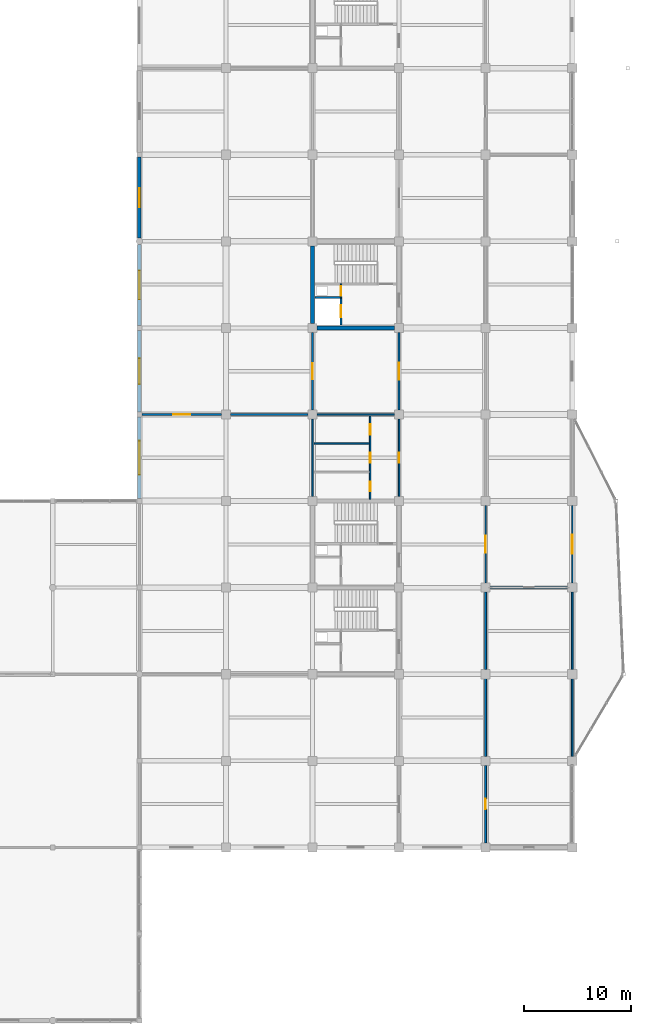
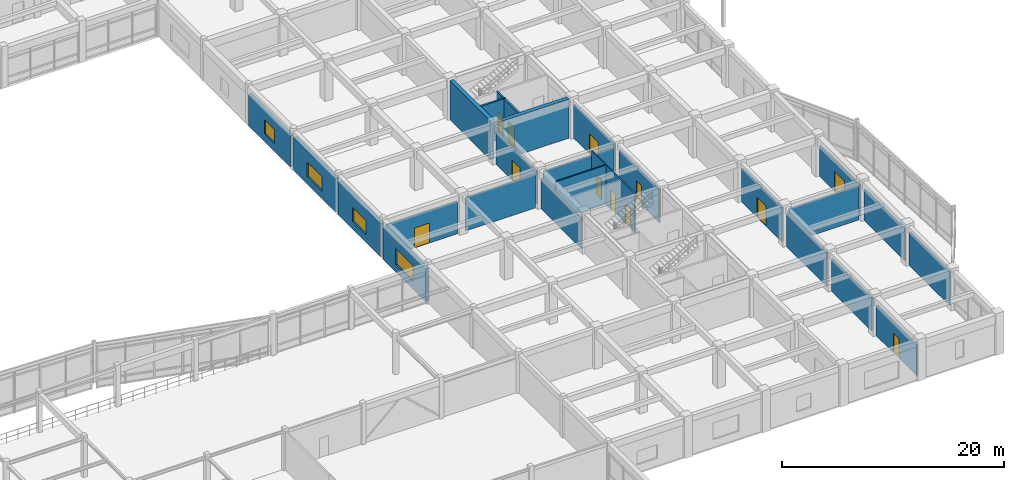
# One storey, part 70 of 93: 26 walls, 12 doors, 4 windows, 16 openings.
"""IFC4 building model written with IfcOpenShell, lengths in metres."""

from ifc_helpers import new_model, si_unit, direction, frame, frame_2d, origin, place, context, subcontext, project, spatial, rectangle, extrude, material, layer, layer_set, type_object, element, fill, save


model = new_model("IFC4")

# Units and contexts
model_context = context("Model", 3, precision=1e-05, world=origin(), true_north=direction((0.0, 1.0)))
body_context = subcontext(model_context, "Body", "Model", "MODEL_VIEW")
ifc_project = project(units=[si_unit("LENGTHUNIT", "METRE"), si_unit("AREAUNIT", "SQUARE_METRE"), si_unit("VOLUMEUNIT", "CUBIC_METRE"), si_unit("PLANEANGLEUNIT", "RADIAN"), si_unit("MASSUNIT", "GRAM", prefix="KILO")], contexts=[model_context])

# Site, building, storey
site_placement = place(None, origin())
site = spatial("IfcSite", under=ifc_project, at=site_placement, CompositionType="ELEMENT")
building_placement = place(site_placement, origin())
building = spatial("IfcBuilding", under=site, at=building_placement, Name="Vaudrelin Polytechnic", CompositionType="ELEMENT")
storey_placement = place(building_placement, frame((0.0, 0.0, 5.10009765625)))
storey = spatial("IfcBuildingStorey", under=building, at=storey_placement, Name="L01", CompositionType="ELEMENT", Elevation=5.10009765625)

# Wall, opening, window
ifc_material_1 = material(Name="Precast concrete 35 MPa with terracotta baguette screen", Category="masonry")
ifc_layer_1 = layer(ifc_material_1, 0.35009765625)
ifc_layer_set_1 = layer_set([ifc_layer_1], Name="Precast concrete 35 MPa with terracotta baguette screen")
wall_type_1 = type_object("IfcWallType", Name="WAL-EW-TERR350", PredefinedType="STANDARD", material=ifc_layer_set_1)
wall_1_placement = place(storey_placement, frame((129.60009765625, 48.822998046875, 0.0), z_axis=(0.0, 0.0, 1.0), x_axis=(0.0, 1.0, 0.0)))
wall_1 = element("IfcWall", 1, at=wall_1_placement, inside=storey, type_object=wall_type_1, Name="Exterior wall L01 CT_E_00", PredefinedType="STANDARD", context=body_context, shape_type="SweptSolid", body=[
    extrude(rectangle(XDim=7.654052734375, YDim=0.35009765625, at=frame_2d((3.8271484375, 0.0))), origin(), (0.0, 0.0, 1.0), 3.56201171875),
])
opening_1_placement = place(wall_1_placement, frame((2.251953125, 0.0, 0.85009765625)))
opening_1 = element("IfcOpeningElement", 2, at=opening_1_placement, cuts=wall_1, Name="Opening W-L01-CT-E-01", PredefinedType="OPENING", context=body_context, shape_type="SweptSolid", body=[
    extrude(rectangle(XDim=3.14990234375, YDim=1.75, at=frame_2d((1.574951171875, 0.875))), frame((0.0, 0.18505859375, 0.0), z_axis=(0.0, -1.0, 0.0), x_axis=(1.0, 0.0, 0.0)), (0.0, 0.0, 1.0), 0.3701171875),
])
ifc_material_2 = material(Name="Thermally broken aluminium frame with triple low-e glazing", Category="aluminium")
window_type_1 = type_object("IfcWindowType", Name="WIN-WN-20", PartitioningType="SINGLE_PANEL", PredefinedType="WINDOW", material=ifc_material_2)
window_1_placement = place(opening_1_placement, origin())
window_1 = element("IfcWindow", 3, at=window_1_placement, inside=storey, type_object=window_type_1, Name="Facade window L01-CT_E_00", OverallHeight=1.75, OverallWidth=3.14990234375, PartitioningType="SINGLE_PANEL", PredefinedType="WINDOW", context=body_context, shape_type="SweptSolid", body=[
    extrude(rectangle(XDim=3.14990234375, YDim=1.75, at=frame_2d((1.574951171875, 0.875))), frame((0.0, 0.030029296875, 0.0), z_axis=(0.0, -1.0, 0.0), x_axis=(1.0, 0.0, 0.0)), (0.0, 0.0, 1.0), 0.06005859375),
])
fill(opening_1, window_1)

wall_2_placement = place(storey_placement, frame((129.60009765625, 56.923095703125, 0.0), z_axis=(0.0, 0.0, 1.0), x_axis=(0.0, 1.0, 0.0)))
wall_2 = element("IfcWall", 4, at=wall_2_placement, inside=storey, type_object=wall_type_1, Name="Exterior wall L01 CT_E_01", PredefinedType="STANDARD", context=body_context, shape_type="SweptSolid", body=[
    extrude(rectangle(XDim=7.65380859375, YDim=0.35009765625, at=frame_2d((3.826904296875, 0.0))), origin(), (0.0, 0.0, 1.0), 3.661865234375),
])
opening_2_placement = place(wall_2_placement, frame((2.626953125, 0.0, 0.85009765625)))
opening_2 = element("IfcOpeningElement", 5, at=opening_2_placement, cuts=wall_2, Name="Opening W-L01-CT-E-02", PredefinedType="OPENING", context=body_context, shape_type="SweptSolid", body=[
    extrude(rectangle(XDim=2.39990234375, YDim=1.550048828125, at=frame_2d((1.199951171875, 0.77490234375))), frame((0.0, 0.18505859375, 0.0), z_axis=(0.0, -1.0, 0.0), x_axis=(1.0, 0.0, 0.0)), (0.0, 0.0, 1.0), 0.3701171875),
])
window_type_2 = type_object("IfcWindowType", Name="WIN-WN-21", PartitioningType="SINGLE_PANEL", PredefinedType="WINDOW", material=ifc_material_2)
window_2_placement = place(opening_2_placement, origin())
window_2 = element("IfcWindow", 6, at=window_2_placement, inside=storey, type_object=window_type_2, Name="Facade window L01-CT_E_01", OverallHeight=1.550048828125, OverallWidth=2.39990234375, PartitioningType="SINGLE_PANEL", PredefinedType="WINDOW", context=body_context, shape_type="SweptSolid", body=[
    extrude(rectangle(XDim=2.39990234375, YDim=1.550048828125, at=frame_2d((1.199951171875, 0.77490234375))), frame((0.0, 0.030029296875, 0.0), z_axis=(0.0, -1.0, 0.0), x_axis=(1.0, 0.0, 0.0)), (0.0, 0.0, 1.0), 0.06005859375),
])
fill(opening_2, window_2)

wall_3_placement = place(storey_placement, frame((129.60009765625, 65.02294921875, 0.0), z_axis=(0.0, 0.0, 1.0), x_axis=(0.0, 1.0, 0.0)))
wall_3 = element("IfcWall", 7, at=wall_3_placement, inside=storey, type_object=wall_type_1, Name="Exterior wall L01 CT_E_02", PredefinedType="STANDARD", context=body_context, shape_type="SweptSolid", body=[
    extrude(rectangle(XDim=7.5791015625, YDim=0.35009765625, at=frame_2d((3.78955078125, 0.0))), origin(), (0.0, 0.0, 1.0), 3.661865234375),
])
opening_3_placement = place(wall_3_placement, frame((2.439453125, 0.0, 0.85009765625)))
opening_3 = element("IfcOpeningElement", 8, at=opening_3_placement, cuts=wall_3, Name="Opening W-L01-CT-E-03", PredefinedType="OPENING", context=body_context, shape_type="SweptSolid", body=[
    extrude(rectangle(XDim=2.699951171875, YDim=1.550048828125, at=frame_2d((1.35009765625, 0.77490234375))), frame((0.0, 0.18505859375, 0.0), z_axis=(0.0, -1.0, 0.0), x_axis=(1.0, 0.0, 0.0)), (0.0, 0.0, 1.0), 0.3701171875),
])
window_type_3 = type_object("IfcWindowType", Name="WIN-WN-22", PartitioningType="SINGLE_PANEL", PredefinedType="WINDOW", material=ifc_material_2)
window_3_placement = place(opening_3_placement, origin())
window_3 = element("IfcWindow", 9, at=window_3_placement, inside=storey, type_object=window_type_3, Name="Facade window L01-CT_E_02", OverallHeight=1.550048828125, OverallWidth=2.699951171875, PartitioningType="SINGLE_PANEL", PredefinedType="WINDOW", context=body_context, shape_type="SweptSolid", body=[
    extrude(rectangle(XDim=2.699951171875, YDim=1.550048828125, at=frame_2d((1.35009765625, 0.77490234375))), frame((0.0, 0.030029296875, 0.0), z_axis=(0.0, -1.0, 0.0), x_axis=(1.0, 0.0, 0.0)), (0.0, 0.0, 1.0), 0.06005859375),
])
fill(opening_3, window_3)

wall_4_placement = place(storey_placement, frame((129.60009765625, 73.197998046875, 0.0), z_axis=(0.0, 0.0, 1.0), x_axis=(0.0, 1.0, 0.0)))
wall_4 = element("IfcWall", 10, at=wall_4_placement, inside=storey, type_object=wall_type_1, Name="Exterior wall L01 CT_E_03", PredefinedType="STANDARD", context=body_context, shape_type="SweptSolid", body=[
    extrude(rectangle(XDim=7.5791015625, YDim=0.35009765625, at=frame_2d((3.78955078125, 0.0))), origin(), (0.0, 0.0, 1.0), 3.4619140625),
])
opening_4_placement = place(wall_4_placement, frame((2.889404296875, 0.0, 0.85009765625)))
opening_4 = element("IfcOpeningElement", 11, at=opening_4_placement, cuts=wall_4, Name="Opening W-L01-CT-E-04", PredefinedType="OPENING", context=body_context, shape_type="SweptSolid", body=[
    extrude(rectangle(XDim=1.800048828125, YDim=1.550048828125, at=frame_2d((0.89990234375, 0.77490234375))), frame((0.0, 0.18505859375, 0.0), z_axis=(0.0, -1.0, 0.0), x_axis=(1.0, 0.0, 0.0)), (0.0, 0.0, 1.0), 0.3701171875),
])
window_type_4 = type_object("IfcWindowType", Name="WIN-WN-23", PartitioningType="SINGLE_PANEL", PredefinedType="WINDOW", material=ifc_material_2)
window_4_placement = place(opening_4_placement, origin())
window_4 = element("IfcWindow", 12, at=window_4_placement, inside=storey, type_object=window_type_4, Name="Facade window L01-CT_E_03", OverallHeight=1.550048828125, OverallWidth=1.800048828125, PartitioningType="SINGLE_PANEL", PredefinedType="WINDOW", context=body_context, shape_type="SweptSolid", body=[
    extrude(rectangle(XDim=1.800048828125, YDim=1.550048828125, at=frame_2d((0.89990234375, 0.77490234375))), frame((0.0, 0.030029296875, 0.0), z_axis=(0.0, -1.0, 0.0), x_axis=(1.0, 0.0, 0.0)), (0.0, 0.0, 1.0), 0.06005859375),
])
fill(opening_4, window_4)

# Wall, opening, door
ifc_material_3 = material(Name="Acoustic double-stud gypsum & mineral-wool partition", Category="gypsum")
ifc_layer_2 = layer(ifc_material_3, 0.179931640625)
ifc_layer_set_2 = layer_set([ifc_layer_2], Name="Acoustic double-stud gypsum & mineral-wool partition")
wall_type_2 = type_object("IfcWallType", Name="WAL-PW-AC180", PredefinedType="PARTITIONING", material=ifc_layer_set_2)
wall_5_placement = place(storey_placement, frame((162.0, 16.623046875, 0.0), z_axis=(0.0, 0.0, 1.0), x_axis=(0.0, 1.0, 0.0)))
wall_5 = element("IfcWall", 13, at=wall_5_placement, inside=storey, type_object=wall_type_2, Name="Partition L01-028 W", PredefinedType="PARTITIONING", context=body_context, shape_type="SweptSolid", body=[
    extrude(rectangle(XDim=7.25390625, YDim=0.179931640625, at=frame_2d((3.626953125, 0.0))), origin(), (0.0, 0.0, 1.0), 3.36181640625),
])
opening_5_placement = place(wall_5_placement, frame((3.126953125, 0.0, 0.0)))
opening_5 = element("IfcOpeningElement", 14, at=opening_5_placement, cuts=wall_5, Name="Opening D-L01-463", PredefinedType="OPENING", context=body_context, shape_type="SweptSolid", body=[
    extrude(rectangle(XDim=1.0, YDim=2.14990234375, at=frame_2d((0.5, 1.074951171875))), frame((0.0, 0.10009765625, 0.0), z_axis=(0.0, -1.0, 0.0), x_axis=(1.0, 0.0, 0.0)), (0.0, 0.0, 1.0), 0.199951171875),
])
ifc_material_4 = material(Name="Solid-core birch veneer acoustic leaf", Category="wood")
door_type_1 = type_object("IfcDoorType", Name="DOR-ID-SEM1", OperationType="NOTDEFINED", PredefinedType="DOOR", material=ifc_material_4)
door_1_placement = place(opening_5_placement, origin())
door_1 = element("IfcDoor", 15, at=door_1_placement, inside=storey, type_object=door_type_1, Name="Seminar Room 103 door L01-028", OperationType="SINGLE_SWING_RIGHT", OverallHeight=2.14990234375, OverallWidth=1.0, PredefinedType="DOOR", context=body_context, shape_type="SweptSolid", body=[
    extrude(rectangle(XDim=1.0, YDim=2.14990234375, at=frame_2d((0.5, 1.074951171875))), frame((0.0, 0.02490234375, 0.0), z_axis=(0.0, -1.0, 0.0), x_axis=(1.0, 0.0, 0.0)), (0.0, 0.0, 1.0), 0.050048828125),
])
fill(opening_5, door_1)

# Walls
wall_6_placement = place(storey_placement, frame((162.0, 24.722900390625, 0.0), z_axis=(0.0, 0.0, 1.0), x_axis=(0.0, 1.0, 0.0)))
element("IfcWall", 16, at=wall_6_placement, inside=storey, type_object=wall_type_2, Name="Partition L01-028 W", PredefinedType="PARTITIONING", context=body_context, shape_type="SweptSolid", body=[
    extrude(rectangle(XDim=7.254150390625, YDim=0.179931640625, at=frame_2d((3.626953125, 0.0))), origin(), (0.0, 0.0, 1.0), 3.56201171875),
])
wall_7_placement = place(storey_placement, frame((162.0, 32.822998046875, 0.0), z_axis=(0.0, 0.0, 1.0), x_axis=(0.0, 1.0, 0.0)))
element("IfcWall", 17, at=wall_7_placement, inside=storey, type_object=wall_type_2, Name="Partition L01-028 W", PredefinedType="PARTITIONING", context=body_context, shape_type="SweptSolid", body=[
    extrude(rectangle(XDim=7.25390625, YDim=0.179931640625, at=frame_2d((3.626953125, 0.0))), origin(), (0.0, 0.0, 1.0), 3.661865234375),
])
wall_8_placement = place(storey_placement, frame((162.423095703125, 40.5, 0.0), z_axis=(0.0, 0.0, 1.0), x_axis=(1.0, 0.0, 0.0)))
element("IfcWall", 18, at=wall_8_placement, inside=storey, type_object=wall_type_2, Name="Partition L01-028 N", PredefinedType="PARTITIONING", context=body_context, shape_type="SweptSolid", body=[
    extrude(rectangle(XDim=7.25390625, YDim=0.179931640625, at=frame_2d((3.626953125, 0.0))), origin(), (0.0, 0.0, 1.0), 3.7119140625),
])
wall_9_placement = place(storey_placement, frame((170.10009765625, 24.722900390625, 0.0), z_axis=(0.0, 0.0, 1.0), x_axis=(0.0, 1.0, 0.0)))
element("IfcWall", 19, at=wall_9_placement, inside=storey, type_object=wall_type_2, Name="Partition L01-028 E", PredefinedType="PARTITIONING", context=body_context, shape_type="SweptSolid", body=[
    extrude(rectangle(XDim=7.254150390625, YDim=0.179931640625, at=frame_2d((3.626953125, 0.0))), origin(), (0.0, 0.0, 1.0), 3.661865234375),
])
wall_10_placement = place(storey_placement, frame((170.10009765625, 32.822998046875, 0.0), z_axis=(0.0, 0.0, 1.0), x_axis=(0.0, 1.0, 0.0)))
element("IfcWall", 20, at=wall_10_placement, inside=storey, type_object=wall_type_2, Name="Partition L01-028 E", PredefinedType="PARTITIONING", context=body_context, shape_type="SweptSolid", body=[
    extrude(rectangle(XDim=7.25390625, YDim=0.179931640625, at=frame_2d((3.626953125, 0.0))), origin(), (0.0, 0.0, 1.0), 3.4619140625),
])

# Wall, opening, door
ifc_material_5 = material(Name="Fire-rated steel-stud gypsum compartment wall", Category="steel")
ifc_layer_3 = layer(ifc_material_5, 0.14990234375)
ifc_layer_set_3 = layer_set([ifc_layer_3], Name="Fire-rated steel-stud gypsum compartment wall")
wall_type_3 = type_object("IfcWallType", Name="WAL-PW-FIRE60", PredefinedType="PARTITIONING", material=ifc_layer_set_3)
wall_11_placement = place(storey_placement, frame((148.47998046875, 67.64990234375, 0.0), z_axis=(0.0, 0.0, 1.0), x_axis=(0.0, 1.0, 0.0)))
wall_11 = element("IfcWall", 21, at=wall_11_placement, inside=storey, type_object=wall_type_3, Name="Core C7 riser enclosure wall L01", PredefinedType="PARTITIONING", context=body_context, shape_type="SweptSolid", body=[
    extrude(rectangle(XDim=1.260009765625, YDim=0.14990234375, at=frame_2d((0.6298828125, 0.0))), origin(), (0.0, 0.0, 1.0), 4.31201171875),
])
opening_6_placement = place(wall_11_placement, frame((0.139892578125, 0.0, 0.0)))
opening_6 = element("IfcOpeningElement", 22, at=opening_6_placement, cuts=wall_11, Name="Opening D-L01-119", PredefinedType="OPENING", context=body_context, shape_type="SweptSolid", body=[
    extrude(rectangle(XDim=0.89990234375, YDim=2.14990234375, at=frame_2d((0.449951171875, 1.074951171875))), frame((0.0, 0.0849609375, 0.0), z_axis=(0.0, -1.0, 0.0), x_axis=(1.0, 0.0, 0.0)), (0.0, 0.0, 1.0), 0.169921875),
])
ifc_material_6 = material(Name="Pressed galvanised steel acoustic leaf", Category="steel")
door_type_2 = type_object("IfcDoorType", Name="DOR-ID-RSR1", OperationType="NOTDEFINED", PredefinedType="DOOR", material=ifc_material_6)
door_2_placement = place(opening_6_placement, origin())
door_2 = element("IfcDoor", 23, at=door_2_placement, inside=storey, type_object=door_type_2, Name="Core C7 riser access door L01", OperationType="SINGLE_SWING_RIGHT", OverallHeight=2.14990234375, OverallWidth=0.89990234375, PredefinedType="DOOR", context=body_context, shape_type="SweptSolid", body=[
    extrude(rectangle(XDim=0.89990234375, YDim=2.14990234375, at=frame_2d((0.449951171875, 1.074951171875))), frame((0.0, 0.02490234375, 0.0), z_axis=(0.0, -1.0, 0.0), x_axis=(1.0, 0.0, 0.0)), (0.0, 0.0, 1.0), 0.050048828125),
])
fill(opening_6, door_2)

ifc_material_7 = material(Name="Moisture- and chemical-resistant laboratory partition", Category="gypsum")
ifc_layer_4 = layer(ifc_material_7, 0.159912109375)
ifc_layer_set_4 = layer_set([ifc_layer_4], Name="Moisture- and chemical-resistant laboratory partition")
wall_type_4 = type_object("IfcWallType", Name="WAL-PW-LAB160", PredefinedType="PARTITIONING", material=ifc_layer_set_4)
wall_12_placement = place(storey_placement, frame((129.822998046875, 56.699951171875, 0.0), z_axis=(0.0, 0.0, 1.0), x_axis=(1.0, 0.0, 0.0)))
wall_12 = element("IfcWall", 24, at=wall_12_placement, inside=storey, type_object=wall_type_4, Name="Partition L01-022 N", PredefinedType="PARTITIONING", context=body_context, shape_type="SweptSolid", body=[
    extrude(rectangle(XDim=7.4541015625, YDim=0.159912109375, at=frame_2d((3.72705078125, 0.0))), origin(), (0.0, 0.0, 1.0), 3.56201171875),
])
opening_7_placement = place(wall_12_placement, frame((2.93701171875, 0.0, 0.0)))
opening_7 = element("IfcOpeningElement", 25, at=opening_7_placement, cuts=wall_12, Name="Opening D-L01-458", PredefinedType="OPENING", context=body_context, shape_type="SweptSolid", body=[
    extrude(rectangle(XDim=1.580078125, YDim=2.199951171875, at=frame_2d((0.7900390625, 1.10009765625))), frame((0.0, 0.08984375, 0.0), z_axis=(0.0, -1.0, 0.0), x_axis=(1.0, 0.0, 0.0)), (0.0, 0.0, 1.0), 0.179931640625),
])
door_type_3 = type_object("IfcDoorType", Name="DOR-ID-LAB3", OperationType="NOTDEFINED", PredefinedType="DOOR", material=ifc_material_6)
door_3_placement = place(opening_7_placement, origin())
door_3 = element("IfcDoor", 26, at=door_3_placement, inside=storey, type_object=door_type_3, Name="Calorimetry Teaching Laboratory door L01-022", OperationType="DOUBLE_SWING_LEFT", OverallHeight=2.199951171875, OverallWidth=1.580078125, PredefinedType="DOOR", context=body_context, shape_type="SweptSolid", body=[
    extrude(rectangle(XDim=1.580078125, YDim=2.199951171875, at=frame_2d((0.7900390625, 1.10009765625))), frame((0.0, 0.02490234375, 0.0), z_axis=(0.0, -1.0, 0.0), x_axis=(1.0, 0.0, 0.0)), (0.0, 0.0, 1.0), 0.050048828125),
])
fill(opening_7, door_3)

# Wall
wall_13_placement = place(storey_placement, frame((138.123046875, 56.699951171875, 0.0), z_axis=(0.0, 0.0, 1.0), x_axis=(1.0, 0.0, 0.0)))
element("IfcWall", 27, at=wall_13_placement, inside=storey, type_object=wall_type_4, Name="Partition L01-022 N", PredefinedType="PARTITIONING", context=body_context, shape_type="SweptSolid", body=[
    extrude(rectangle(XDim=7.25390625, YDim=0.159912109375, at=frame_2d((3.626953125, 0.0))), origin(), (0.0, 0.0, 1.0), 3.661865234375),
])

# Wall, opening, door
wall_14_placement = place(storey_placement, frame((145.800048828125, 57.123046875, 0.0), z_axis=(0.0, 0.0, 1.0), x_axis=(0.0, 1.0, 0.0)))
wall_14 = element("IfcWall", 28, at=wall_14_placement, inside=storey, type_object=wall_type_4, Name="Partition L01-023 E", PredefinedType="PARTITIONING", context=body_context, shape_type="SweptSolid", body=[
    extrude(rectangle(XDim=7.25390625, YDim=0.159912109375, at=frame_2d((3.626953125, 0.0))), origin(), (0.0, 0.0, 1.0), 3.56201171875),
])
opening_8_placement = place(wall_14_placement, frame((2.876953125, 0.0, 0.0)))
opening_8 = element("IfcOpeningElement", 29, at=opening_8_placement, cuts=wall_14, Name="Opening D-L01-459", PredefinedType="OPENING", context=body_context, shape_type="SweptSolid", body=[
    extrude(rectangle(XDim=1.5, YDim=2.199951171875, at=frame_2d((0.75, 1.10009765625))), frame((0.0, 0.08984375, 0.0), z_axis=(0.0, -1.0, 0.0), x_axis=(1.0, 0.0, 0.0)), (0.0, 0.0, 1.0), 0.179931640625),
])
door_type_4 = type_object("IfcDoorType", Name="DOR-ID-LAB1", OperationType="NOTDEFINED", PredefinedType="DOOR", material=ifc_material_6)
door_4_placement = place(opening_8_placement, origin())
door_4 = element("IfcDoor", 30, at=door_4_placement, inside=storey, type_object=door_type_4, Name="Heat Transfer and Combustion Laboratory door L01-023", OperationType="DOUBLE_SWING_LEFT", OverallHeight=2.199951171875, OverallWidth=1.5, PredefinedType="DOOR", context=body_context, shape_type="SweptSolid", body=[
    extrude(rectangle(XDim=1.5, YDim=2.199951171875, at=frame_2d((0.75, 1.10009765625))), frame((0.0, 0.02490234375, 0.0), z_axis=(0.0, -1.0, 0.0), x_axis=(1.0, 0.0, 0.0)), (0.0, 0.0, 1.0), 0.050048828125),
])
fill(opening_8, door_4)

wall_15_placement = place(storey_placement, frame((162.0, 40.923095703125, 0.0), z_axis=(0.0, 0.0, 1.0), x_axis=(0.0, 1.0, 0.0)))
wall_15 = element("IfcWall", 31, at=wall_15_placement, inside=storey, type_object=wall_type_4, Name="Partition L01-029 W", PredefinedType="PARTITIONING", context=body_context, shape_type="SweptSolid", body=[
    extrude(rectangle(XDim=7.25390625, YDim=0.159912109375, at=frame_2d((3.626953125, 0.0))), origin(), (0.0, 0.0, 1.0), 3.7119140625),
])
opening_9_placement = place(wall_15_placement, frame((2.8369140625, 0.0, 0.0)))
opening_9 = element("IfcOpeningElement", 32, at=opening_9_placement, cuts=wall_15, Name="Opening D-L01-464", PredefinedType="OPENING", context=body_context, shape_type="SweptSolid", body=[
    extrude(rectangle(XDim=1.580078125, YDim=2.199951171875, at=frame_2d((0.7900390625, 1.10009765625))), frame((0.0, 0.08984375, 0.0), z_axis=(0.0, -1.0, 0.0), x_axis=(1.0, 0.0, 0.0)), (0.0, 0.0, 1.0), 0.179931640625),
])
door_5_placement = place(opening_9_placement, origin())
door_5 = element("IfcDoor", 33, at=door_5_placement, inside=storey, type_object=door_type_3, Name="Materials Characterization Laboratory door L01-029", OperationType="DOUBLE_SWING_LEFT", OverallHeight=2.199951171875, OverallWidth=1.580078125, PredefinedType="DOOR", context=body_context, shape_type="SweptSolid", body=[
    extrude(rectangle(XDim=1.580078125, YDim=2.199951171875, at=frame_2d((0.7900390625, 1.10009765625))), frame((0.0, 0.02490234375, 0.0), z_axis=(0.0, -1.0, 0.0), x_axis=(1.0, 0.0, 0.0)), (0.0, 0.0, 1.0), 0.050048828125),
])
fill(opening_9, door_5)

wall_16_placement = place(storey_placement, frame((170.10009765625, 40.923095703125, 0.0), z_axis=(0.0, 0.0, 1.0), x_axis=(0.0, 1.0, 0.0)))
wall_16 = element("IfcWall", 34, at=wall_16_placement, inside=storey, type_object=wall_type_4, Name="Partition L01-029 E", PredefinedType="PARTITIONING", context=body_context, shape_type="SweptSolid", body=[
    extrude(rectangle(XDim=7.25390625, YDim=0.159912109375, at=frame_2d((3.626953125, 0.0))), origin(), (0.0, 0.0, 1.0), 3.36181640625),
])
opening_10_placement = place(wall_16_placement, frame((2.72705078125, 0.0, 0.0)))
opening_10 = element("IfcOpeningElement", 35, at=opening_10_placement, cuts=wall_16, Name="Opening D-L01-602", PredefinedType="OPENING", context=body_context, shape_type="SweptSolid", body=[
    extrude(rectangle(XDim=1.800048828125, YDim=2.199951171875, at=frame_2d((0.89990234375, 1.10009765625))), frame((0.0, 0.08984375, 0.0), z_axis=(0.0, -1.0, 0.0), x_axis=(1.0, 0.0, 0.0)), (0.0, 0.0, 1.0), 0.179931640625),
])
door_type_5 = type_object("IfcDoorType", Name="DOR-ID-DBL1", OperationType="NOTDEFINED", PredefinedType="DOOR", material=ifc_material_6)
door_6_placement = place(opening_10_placement, origin())
door_6 = element("IfcDoor", 36, at=door_6_placement, inside=storey, type_object=door_type_5, Name="East materials pod E1 door L01", OperationType="DOUBLE_SWING_LEFT", OverallHeight=2.199951171875, OverallWidth=1.800048828125, PredefinedType="DOOR", context=body_context, shape_type="SweptSolid", body=[
    extrude(rectangle(XDim=1.800048828125, YDim=2.199951171875, at=frame_2d((0.89990234375, 1.10009765625))), frame((0.0, 0.02490234375, 0.0), z_axis=(0.0, -1.0, 0.0), x_axis=(1.0, 0.0, 0.0)), (0.0, 0.0, 1.0), 0.050048828125),
])
fill(opening_10, door_6)

wall_17_placement = place(storey_placement, frame((153.89990234375, 57.123046875, 0.0), z_axis=(0.0, 0.0, 1.0), x_axis=(0.0, 1.0, 0.0)))
wall_17 = element("IfcWall", 37, at=wall_17_placement, inside=storey, type_object=wall_type_4, Name="Partition L01-038 E", PredefinedType="PARTITIONING", context=body_context, shape_type="SweptSolid", body=[
    extrude(rectangle(XDim=7.25390625, YDim=0.159912109375, at=frame_2d((3.626953125, 0.0))), origin(), (0.0, 0.0, 1.0), 3.7119140625),
])
opening_11_placement = place(wall_17_placement, frame((2.8369140625, 0.0, 0.0)))
opening_11 = element("IfcOpeningElement", 38, at=opening_11_placement, cuts=wall_17, Name="Opening D-L01-471", PredefinedType="OPENING", context=body_context, shape_type="SweptSolid", body=[
    extrude(rectangle(XDim=1.580078125, YDim=2.199951171875, at=frame_2d((0.7900390625, 1.10009765625))), frame((0.0, 0.08984375, 0.0), z_axis=(0.0, -1.0, 0.0), x_axis=(1.0, 0.0, 0.0)), (0.0, 0.0, 1.0), 0.179931640625),
])
door_7_placement = place(opening_11_placement, origin())
door_7 = element("IfcDoor", 39, at=door_7_placement, inside=storey, type_object=door_type_3, Name="Combustion Gas Analyzer Room door L01-038", OperationType="DOUBLE_SWING_LEFT", OverallHeight=2.199951171875, OverallWidth=1.580078125, PredefinedType="DOOR", context=body_context, shape_type="SweptSolid", body=[
    extrude(rectangle(XDim=1.580078125, YDim=2.199951171875, at=frame_2d((0.7900390625, 1.10009765625))), frame((0.0, 0.02490234375, 0.0), z_axis=(0.0, -1.0, 0.0), x_axis=(1.0, 0.0, 0.0)), (0.0, 0.0, 1.0), 0.050048828125),
])
fill(opening_11, door_7)

# Walls
ifc_material_8 = material(Name="Cement-board tiled wet-wall washroom partition", Category="gypsum")
ifc_layer_5 = layer(ifc_material_8, 0.139892578125)
ifc_layer_set_5 = layer_set([ifc_layer_5], Name="Cement-board tiled wet-wall washroom partition")
wall_type_5 = type_object("IfcWallType", Name="WAL-PW-WC140", PredefinedType="PARTITIONING", material=ifc_layer_set_5)
wall_18_placement = place(storey_placement, frame((146.222900390625, 56.699951171875, 0.0), z_axis=(0.0, 0.0, 1.0), x_axis=(1.0, 0.0, 0.0)))
element("IfcWall", 40, at=wall_18_placement, inside=storey, type_object=wall_type_5, Name="Washroom enclosure wall L01-18-6-N", PredefinedType="PARTITIONING", context=body_context, shape_type="SweptSolid", body=[
    extrude(rectangle(XDim=7.254150390625, YDim=0.139892578125, at=frame_2d((3.626953125, 0.0))), origin(), (0.0, 0.0, 1.0), 3.7099609375),
])
wall_19_placement = place(storey_placement, frame((145.800048828125, 49.02294921875, 0.0), z_axis=(0.0, 0.0, 1.0), x_axis=(0.0, 1.0, 0.0)))
element("IfcWall", 41, at=wall_19_placement, inside=storey, type_object=wall_type_5, Name="Washroom enclosure wall L01-18-6-W", PredefinedType="PARTITIONING", context=body_context, shape_type="SweptSolid", body=[
    extrude(rectangle(XDim=7.254150390625, YDim=0.139892578125, at=frame_2d((3.626953125, 0.0))), origin(), (0.0, 0.0, 1.0), 3.35986328125),
])

# Wall, opening, door
wall_20_placement = place(storey_placement, frame((153.89990234375, 49.02294921875, 0.0), z_axis=(0.0, 0.0, 1.0), x_axis=(0.0, 1.0, 0.0)))
wall_20 = element("IfcWall", 42, at=wall_20_placement, inside=storey, type_object=wall_type_5, Name="Washroom enclosure wall L01-18-6-E", PredefinedType="PARTITIONING", context=body_context, shape_type="SweptSolid", body=[
    extrude(rectangle(XDim=7.254150390625, YDim=0.139892578125, at=frame_2d((3.626953125, 0.0))), origin(), (0.0, 0.0, 1.0), 3.659912109375),
])
opening_12_placement = place(wall_20_placement, frame((3.1669921875, 0.0, 0.0)))
opening_12 = element("IfcOpeningElement", 43, at=opening_12_placement, cuts=wall_20, Name="Opening D-L01-349", PredefinedType="OPENING", context=body_context, shape_type="SweptSolid", body=[
    extrude(rectangle(XDim=0.919921875, YDim=2.14990234375, at=frame_2d((0.4599609375, 1.074951171875))), frame((0.0, 0.080078125, 0.0), z_axis=(0.0, -1.0, 0.0), x_axis=(1.0, 0.0, 0.0)), (0.0, 0.0, 1.0), 0.159912109375),
])
door_type_6 = type_object("IfcDoorType", Name="DOR-ID-WC1", OperationType="NOTDEFINED", PredefinedType="DOOR", material=ifc_material_4)
door_8_placement = place(opening_12_placement, origin())
door_8 = element("IfcDoor", 44, at=door_8_placement, inside=storey, type_object=door_type_6, Name="Washroom vestibule door L01-18-6-E", OperationType="SINGLE_SWING_LEFT", OverallHeight=2.14990234375, OverallWidth=0.919921875, PredefinedType="DOOR", context=body_context, shape_type="SweptSolid", body=[
    extrude(rectangle(XDim=0.919921875, YDim=2.14990234375, at=frame_2d((0.4599609375, 1.074951171875))), frame((0.0, 0.02490234375, 0.0), z_axis=(0.0, -1.0, 0.0), x_axis=(1.0, 0.0, 0.0)), (0.0, 0.0, 1.0), 0.050048828125),
])
fill(opening_12, door_8)

# Wall, openings, doors
wall_21_placement = place(storey_placement, frame((151.199951171875, 48.75, 0.0), z_axis=(0.0, 0.0, 1.0), x_axis=(0.0, 1.0, 0.0)))
wall_21 = element("IfcWall", 45, at=wall_21_placement, inside=storey, type_object=wall_type_5, Name="Washroom vestibule divider L01-18-6", PredefinedType="PARTITIONING", context=body_context, shape_type="SweptSolid", body=[
    extrude(rectangle(XDim=7.800048828125, YDim=0.139892578125, at=frame_2d((3.89990234375, 0.0))), origin(), (0.0, 0.0, 1.0), 4.31201171875),
])
opening_13_placement = place(wall_21_placement, frame((0.75, 0.0, 0.0)))
opening_13 = element("IfcOpeningElement", 46, at=opening_13_placement, cuts=wall_21, Name="Opening D-L01-350", PredefinedType="OPENING", context=body_context, shape_type="SweptSolid", body=[
    extrude(rectangle(XDim=0.919921875, YDim=2.14990234375, at=frame_2d((0.4599609375, 1.074951171875))), frame((0.0, 0.080078125, 0.0), z_axis=(0.0, -1.0, 0.0), x_axis=(1.0, 0.0, 0.0)), (0.0, 0.0, 1.0), 0.159912109375),
])
opening_14_placement = place(wall_21_placement, frame((3.43994140625, 0.0, 0.0)))
opening_14 = element("IfcOpeningElement", 47, at=opening_14_placement, cuts=wall_21, Name="Opening D-L01-351", PredefinedType="OPENING", context=body_context, shape_type="SweptSolid", body=[
    extrude(rectangle(XDim=0.919921875, YDim=2.14990234375, at=frame_2d((0.4599609375, 1.074951171875))), frame((0.0, 0.080078125, 0.0), z_axis=(0.0, -1.0, 0.0), x_axis=(1.0, 0.0, 0.0)), (0.0, 0.0, 1.0), 0.159912109375),
])
opening_15_placement = place(wall_21_placement, frame((6.050048828125, 0.0, 0.0)))
opening_15 = element("IfcOpeningElement", 48, at=opening_15_placement, cuts=wall_21, Name="Opening D-L01-352", PredefinedType="OPENING", context=body_context, shape_type="SweptSolid", body=[
    extrude(rectangle(XDim=1.0, YDim=2.14990234375, at=frame_2d((0.5, 1.074951171875))), frame((0.0, 0.080078125, 0.0), z_axis=(0.0, -1.0, 0.0), x_axis=(1.0, 0.0, 0.0)), (0.0, 0.0, 1.0), 0.159912109375),
])
door_type_7 = type_object("IfcDoorType", Name="DOR-ID-AWC1", OperationType="NOTDEFINED", PredefinedType="DOOR", material=ifc_material_4)
door_9_placement = place(opening_15_placement, origin())
door_9 = element("IfcDoor", 49, at=door_9_placement, inside=storey, type_object=door_type_7, Name="Washroom stall-room door L01-18-6-3", OperationType="SINGLE_SWING_LEFT", OverallHeight=2.14990234375, OverallWidth=1.0, PredefinedType="DOOR", context=body_context, shape_type="SweptSolid", body=[
    extrude(rectangle(XDim=1.0, YDim=2.14990234375, at=frame_2d((0.5, 1.074951171875))), frame((0.0, 0.02490234375, 0.0), z_axis=(0.0, -1.0, 0.0), x_axis=(1.0, 0.0, 0.0)), (0.0, 0.0, 1.0), 0.050048828125),
])
fill(opening_15, door_9)
door_10_placement = place(opening_13_placement, origin())
door_10 = element("IfcDoor", 50, at=door_10_placement, inside=storey, type_object=door_type_6, Name="Washroom stall-room door L01-18-6-1", OperationType="SINGLE_SWING_LEFT", OverallHeight=2.14990234375, OverallWidth=0.919921875, PredefinedType="DOOR", context=body_context, shape_type="SweptSolid", body=[
    extrude(rectangle(XDim=0.919921875, YDim=2.14990234375, at=frame_2d((0.4599609375, 1.074951171875))), frame((0.0, 0.02490234375, 0.0), z_axis=(0.0, -1.0, 0.0), x_axis=(1.0, 0.0, 0.0)), (0.0, 0.0, 1.0), 0.050048828125),
])
fill(opening_13, door_10)
door_11_placement = place(opening_14_placement, origin())
door_11 = element("IfcDoor", 51, at=door_11_placement, inside=storey, type_object=door_type_6, Name="Washroom stall-room door L01-18-6-2", OperationType="SINGLE_SWING_RIGHT", OverallHeight=2.14990234375, OverallWidth=0.919921875, PredefinedType="DOOR", context=body_context, shape_type="SweptSolid", body=[
    extrude(rectangle(XDim=0.919921875, YDim=2.14990234375, at=frame_2d((0.4599609375, 1.074951171875))), frame((0.0, 0.02490234375, 0.0), z_axis=(0.0, -1.0, 0.0), x_axis=(1.0, 0.0, 0.0)), (0.0, 0.0, 1.0), 0.050048828125),
])
fill(opening_14, door_11)

# Wall
wall_22_placement = place(storey_placement, frame((145.949951171875, 54.0, 0.0), z_axis=(0.0, 0.0, 1.0), x_axis=(1.0, 0.0, 0.0)))
element("IfcWall", 52, at=wall_22_placement, inside=storey, type_object=wall_type_5, Name="Washroom separation wall L01-18-6-2", PredefinedType="PARTITIONING", context=body_context, shape_type="SweptSolid", body=[
    extrude(rectangle(XDim=5.179931640625, YDim=0.139892578125, at=frame_2d((2.58984375, 0.0))), origin(), (0.0, 0.0, 1.0), 4.31201171875),
])

# Wall, opening, door
ifc_material_9 = material(Name="Concrete 40 MPa", Category="concrete")
ifc_layer_6 = layer(ifc_material_9, 0.199951171875)
ifc_layer_set_6 = layer_set([ifc_layer_6], Name="Concrete 40 MPa")
wall_type_6 = type_object("IfcWallType", Name="WAL-SW-CORE200", PredefinedType="SHEAR", material=ifc_layer_set_6)
wall_23_placement = place(storey_placement, frame((148.47998046875, 65.050048828125, 0.0), z_axis=(0.0, 0.0, 1.0), x_axis=(0.0, 1.0, 0.0)))
wall_23 = element("IfcWall", 53, at=wall_23_placement, inside=storey, type_object=wall_type_6, Name="Lift LF-07 shaft front wall L01", PredefinedType="SHEAR", context=body_context, shape_type="SweptSolid", body=[
    extrude(rectangle(XDim=2.599853515625, YDim=0.199951171875, at=frame_2d((1.2998046875, 0.0))), origin(), (0.0, 0.0, 1.0), 4.31201171875),
])
opening_16_placement = place(wall_23_placement, frame((0.75, 0.0, 0.0)))
opening_16 = element("IfcOpeningElement", 54, at=opening_16_placement, cuts=wall_23, Name="Opening LD-LF-07-L01", PredefinedType="OPENING", context=body_context, shape_type="SweptSolid", body=[
    extrude(rectangle(XDim=1.10009765625, YDim=2.199951171875, at=frame_2d((0.550048828125, 1.10009765625))), frame((0.0, 0.10986328125, 0.0), z_axis=(0.0, -1.0, 0.0), x_axis=(1.0, 0.0, 0.0)), (0.0, 0.0, 1.0), 0.219970703125),
])
ifc_material_10 = material(Name="Brushed stainless steel AISI 304", Category="steel")
door_type_8 = type_object("IfcDoorType", Name="DOR-LD-PAX", OperationType="SLIDING_TO_LEFT", PredefinedType="DOOR", material=ifc_material_10)
door_12_placement = place(opening_16_placement, origin())
door_12 = element("IfcDoor", 55, at=door_12_placement, inside=storey, type_object=door_type_8, Name="Lift LF-07 landing door L01", OperationType="SLIDING_TO_LEFT", OverallHeight=2.199951171875, OverallWidth=1.10009765625, PredefinedType="DOOR", context=body_context, shape_type="SweptSolid", body=[
    extrude(rectangle(XDim=1.10009765625, YDim=2.199951171875, at=frame_2d((0.550048828125, 1.10009765625))), frame((0.0, 0.02490234375, 0.0), z_axis=(0.0, -1.0, 0.0), x_axis=(1.0, 0.0, 0.0)), (0.0, 0.0, 1.0), 0.050048828125),
])
fill(opening_16, door_12)

# Walls
wall_24_placement = place(storey_placement, frame((146.02001953125, 67.64990234375, 0.0), z_axis=(0.0, 0.0, 1.0), x_axis=(1.0, 0.0, 0.0)))
element("IfcWall", 56, at=wall_24_placement, inside=storey, type_object=wall_type_6, Name="Lift LF-07 shaft north wall L01", PredefinedType="SHEAR", context=body_context, shape_type="SweptSolid", body=[
    extrude(rectangle(XDim=2.56005859375, YDim=0.199951171875, at=frame_2d((1.280029296875, 0.0))), origin(), (0.0, 0.0, 1.0), 4.31201171875),
])
ifc_material_11 = material(Name="Concrete 50 MPa", Category="concrete")
ifc_layer_7 = layer(ifc_material_11, 0.39990234375)
ifc_layer_set_7 = layer_set([ifc_layer_7], Name="Concrete 50 MPa")
wall_type_7 = type_object("IfcWallType", Name="WAL-SW-CORE400", PredefinedType="SHEAR", material=ifc_layer_set_7)
for number, where, z_axis, x_axis, name in (
    (57, (145.800048828125, 65.222900390625, 0.0), (0.0, 0.0, 1.0), (0.0, 1.0, 0.0), "Core C7 W shear wall L01"),
    (58, (146.222900390625, 64.800048828125, 0.0), (0.0, 0.0, 1.0), (1.0, 0.0, 0.0), "Core C7 S shear wall L01"),
):
    element("IfcWall", number, at=place(storey_placement, frame(where, z_axis=z_axis, x_axis=x_axis)), inside=storey, type_object=wall_type_7, Name=name, PredefinedType="SHEAR", context=body_context, shape_type="SweptSolid", body=[
        extrude(rectangle(XDim=7.254150390625, YDim=0.39990234375, at=frame_2d((3.626953125, 0.0))), origin(), (0.0, 0.0, 1.0), 4.31201171875),
    ])

save(model, "model.ifc")
